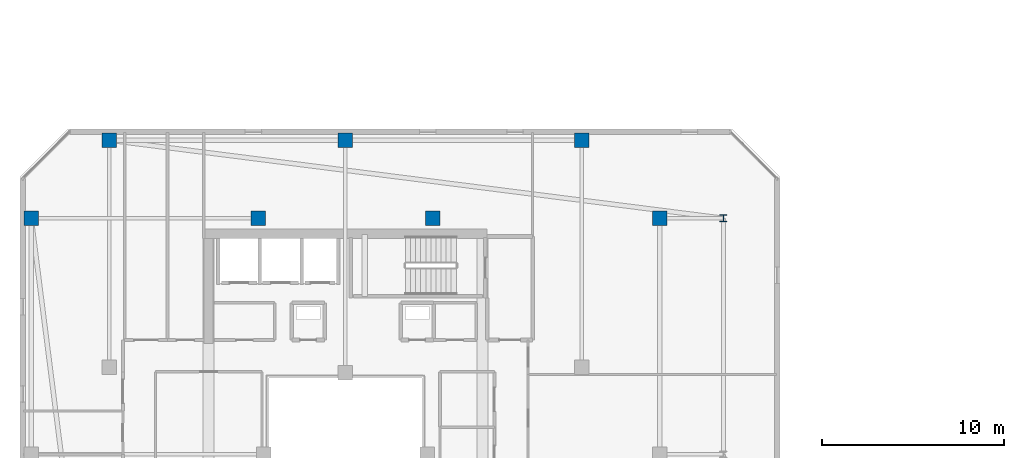
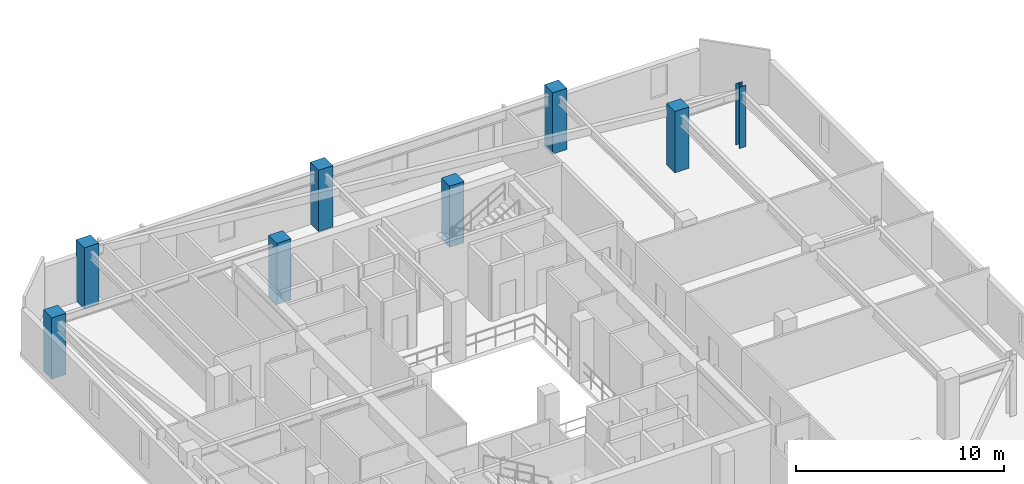
# One storey, part 3 of 35: 8 columns.
"""IFC4 building model written with IfcOpenShell, lengths in metres."""

import ifcopenshell
import ifcopenshell.guid

model = None  # the IFC model being written
_history = None  # IfcOwnerHistory: only IFC2X3 demands one
_inside = {}  # id of a spatial element -> (the spatial element, [elements in it])
_under = {}  # id of a project, library or spatial element -> (it, [spatial elements below it])
_declared = {}  # id of a project -> (the project, [libraries it declares])
_typed = {}  # id of a type object -> (the type object, [elements of that type])
_made_of = {}  # id of a material, layer set ... -> (it, [elements and type objects made of it])


def new_model(schema):
    """Start an empty IFC model of exactly this schema.

    Asked for "IFC4X3", IfcOpenShell would pick the latest addendum, in which some entities
    have other attributes; the version numbers below select the first issue.
    IFC2X3 requires an IfcOwnerHistory on every rooted entity: one is made here for all.
    """
    global model, _history
    if schema == "IFC4X3":
        model = ifcopenshell.file(schema_version=(4, 3, 0, 0))
    else:
        model = ifcopenshell.file(schema=schema)
    _inside.clear()
    _under.clear()
    _declared.clear()
    _typed.clear()
    _made_of.clear()
    _history = None
    if model.schema == "IFC2X3":
        org = make("IfcOrganization", Name="unknown")
        user = make(
            "IfcPersonAndOrganization",
            ThePerson=make("IfcPerson", FamilyName="unknown"),
            TheOrganization=org,
        )
        app = make(
            "IfcApplication",
            ApplicationDeveloper=org,
            Version="unknown",
            ApplicationFullName="unknown",
            ApplicationIdentifier="unknown",
        )
        _history = make(
            "IfcOwnerHistory",
            OwningUser=user,
            OwningApplication=app,
            ChangeAction="ADDED",
            CreationDate=0,
        )
    return model


def make(cls, **values):
    """One entity of the class cls with the attributes given. An attribute that is None is left unset."""
    return model.create_entity(
        cls, **{name: value for name, value in values.items() if value is not None}
    )


def rooted(cls, **values):
    """An entity with a GlobalId (a new one), such as an element, a storey or a relation."""
    return make(cls, GlobalId=ifcopenshell.guid.new(), OwnerHistory=_history, **values)


def si_unit(unit_type, name, prefix=None):
    """IfcSIUnit, for example si_unit("LENGTHUNIT", "METRE", prefix="MILLI")."""
    return make("IfcSIUnit", UnitType=unit_type, Prefix=prefix, Name=name)


def assignment(units):
    """IfcUnitAssignment: the units of a project."""
    return None if units is None else make("IfcUnitAssignment", Units=units)


def point(xyz):
    """IfcCartesianPoint."""
    return None if xyz is None else make("IfcCartesianPoint", Coordinates=xyz)


def direction(xyz):
    """IfcDirection."""
    return None if xyz is None else make("IfcDirection", DirectionRatios=xyz)


def frame(location, z_axis=None, x_axis=None):
    """IfcAxis2Placement3D, a coordinate frame: its origin and axes. An axis left out is left unset."""
    return make(
        "IfcAxis2Placement3D",
        Location=point(location),
        Axis=direction(z_axis),
        RefDirection=direction(x_axis),
    )


def frame_2d(location, x_axis=None):
    """IfcAxis2Placement2D, a coordinate frame in the plane: its origin and x axis."""
    return make(
        "IfcAxis2Placement2D", Location=point(location), RefDirection=direction(x_axis)
    )


def origin():
    """The frame at (0, 0, 0) with its axes left unset."""
    return frame((0.0, 0.0, 0.0))


def origin_2d():
    """The frame at (0, 0) in the plane with its x axis left unset."""
    return frame_2d((0.0, 0.0))


def place(relative_to, where):
    """IfcLocalPlacement: puts the frame where relative to a parent placement (None: the world)."""
    return make(
        "IfcLocalPlacement", PlacementRelTo=relative_to, RelativePlacement=where
    )


def context(
    kind, dimensions, precision=None, world=None, true_north=None, identifier=None
):
    """IfcGeometricRepresentationContext, for example the 3D "Model" context."""
    return make(
        "IfcGeometricRepresentationContext",
        ContextIdentifier=identifier,
        ContextType=kind,
        CoordinateSpaceDimension=dimensions,
        Precision=precision,
        WorldCoordinateSystem=world,
        TrueNorth=true_north,
    )


def subcontext(parent, identifier, kind, view, scale=None):
    """IfcGeometricRepresentationSubContext, for example "Body" below "Model"."""
    return make(
        "IfcGeometricRepresentationSubContext",
        ContextIdentifier=identifier,
        ContextType=kind,
        ParentContext=parent,
        TargetScale=scale,
        TargetView=view,
    )


def project(units=None, contexts=None):
    """IfcProject with its units and contexts."""
    return rooted(
        "IfcProject",
        Name="project",
        RepresentationContexts=contexts,
        UnitsInContext=assignment(units),
    )


def spatial(cls, under=None, at=None, **own):
    """A site, building, storey or space (cls), placed at a placement, below another one or the project."""
    s = rooted(cls, ObjectPlacement=at, **own)
    if under is not None:
        _under.setdefault(under.id(), (under, []))[1].append(s)
    return s


def profile(cls, at=None, kind="AREA", **sizes):
    """A parametric profile (cls). Its sizes go by their IFC names, for example OverallWidth=200.0."""
    return make(cls, ProfileType=kind, Position=at, **sizes)


def rectangle(**sizes):
    """IfcRectangleProfileDef."""
    return profile("IfcRectangleProfileDef", **sizes)


def i_section(**sizes):
    """IfcIShapeProfileDef."""
    return profile("IfcIShapeProfileDef", **sizes)


def extrude(swept, where, along, depth):
    """IfcExtrudedAreaSolid: the profile swept, set in the frame where, extruded along a direction by depth."""
    return make(
        "IfcExtrudedAreaSolid",
        SweptArea=swept,
        Position=where,
        ExtrudedDirection=direction(along),
        Depth=depth,
    )


def shape(context_of_items, identifier, shape_type, items):
    """IfcShapeRepresentation: the items that make up one representation, for example the "Body"."""
    return make(
        "IfcShapeRepresentation",
        ContextOfItems=context_of_items,
        RepresentationIdentifier=identifier,
        RepresentationType=shape_type,
        Items=items,
    )


def material(Name=None, Category=None):
    """IfcMaterial."""
    return make("IfcMaterial", Name=Name, Category=Category)


def material_profile(
    of_material, cross_section, Name=None, Category=None, Priority=None
):
    """IfcMaterialProfile: a cross section and its material."""
    return make(
        "IfcMaterialProfile",
        Name=Name,
        Material=of_material,
        Profile=cross_section,
        Priority=Priority,
        Category=Category,
    )


def profile_set(profiles, Name=None, composite=None):
    """IfcMaterialProfileSet."""
    return make(
        "IfcMaterialProfileSet",
        Name=Name,
        MaterialProfiles=profiles,
        CompositeProfile=composite,
    )


def made_of(thing, what):
    """Note that an element or type object is made of a material, layer set ...; save() writes the relation."""
    if what is not None:
        _made_of.setdefault(what.id(), (what, []))[1].append(thing)
    return thing


def type_object(cls, material=None, **own):
    """A type object (cls), such as IfcWallType, which elements share."""
    return made_of(rooted(cls, **own), material)


def element(
    cls,
    number,
    at=None,
    inside=None,
    cuts=None,
    type_object=None,
    material=None,
    context=None,
    identifier="Body",
    shape_type=None,
    held_by="IfcProductDefinitionShape",
    body=None,
    shapes=None,
    **own,
):
    """One element of the class cls, such as IfcWall. Its Tag is "e" and its number.

    at: its placement. inside: the storey or other place that contains it. cuts: it is an
    opening in that element (IfcRelVoidsElement). A single representation is given by context,
    identifier, shape_type and body (its items); several are given by shapes. held_by: the class
    of the entity that holds the representations. save() writes the other relations.
    """
    e = rooted(cls, Tag="e%d" % number, ObjectPlacement=at, **own)
    if body is not None:
        shapes = [shape(context, identifier, shape_type, body)]
    if shapes is not None:
        e.Representation = make(held_by, Representations=shapes)
    if inside is not None:
        _inside.setdefault(inside.id(), (inside, []))[1].append(e)
    if cuts is not None:
        rooted(
            "IfcRelVoidsElement", RelatingBuildingElement=cuts, RelatedOpeningElement=e
        )
    if type_object is not None:
        _typed.setdefault(type_object.id(), (type_object, []))[1].append(e)
    return made_of(e, material)


def aggregate(whole, parts):
    """IfcRelAggregates: a whole, such as a stair, and the parts it consists of."""
    return rooted("IfcRelAggregates", RelatingObject=whole, RelatedObjects=parts)


def save(model, path):
    """Write the relations noted so far, then the file.

    IfcRelAggregates (storeys below a building ...), IfcRelContainedInSpatialStructure (elements
    in a storey), IfcRelDefinesByType, IfcRelAssociatesMaterial and IfcRelDeclares: one each for
    every whole, place, type object, material and project.
    """
    for whole, parts in _under.values():
        aggregate(whole, parts)
    for where, things in _inside.values():
        rooted(
            "IfcRelContainedInSpatialStructure",
            RelatedElements=things,
            RelatingStructure=where,
        )
    for kind, things in _typed.values():
        rooted("IfcRelDefinesByType", RelatedObjects=things, RelatingType=kind)
    for what, things in _made_of.values():
        rooted("IfcRelAssociatesMaterial", RelatedObjects=things, RelatingMaterial=what)
    for by, libraries in _declared.values():
        rooted("IfcRelDeclares", RelatingContext=by, RelatedDefinitions=libraries)
    model.write(path)


model = new_model("IFC4")

# Units and contexts
model_context = context("Model", 3, precision=1e-05, world=origin(), true_north=direction((0.0, 1.0)))
body_context = subcontext(model_context, "Body", "Model", "MODEL_VIEW")
ifc_project = project(units=[si_unit("LENGTHUNIT", "METRE"), si_unit("AREAUNIT", "SQUARE_METRE"), si_unit("VOLUMEUNIT", "CUBIC_METRE"), si_unit("PLANEANGLEUNIT", "RADIAN"), si_unit("MASSUNIT", "GRAM", prefix="KILO")], contexts=[model_context])

# Site, building, storey
site_placement = place(None, origin())
site = spatial("IfcSite", under=ifc_project, at=site_placement, CompositionType="ELEMENT")
building_placement = place(site_placement, origin())
building = spatial("IfcBuilding", under=site, at=building_placement, Name="Thornwick Lancets Civic Towers", CompositionType="ELEMENT")
storey_placement = place(building_placement, frame((0.0, 0.0, 276.300048828125)))
storey = spatial("IfcBuildingStorey", under=building, at=storey_placement, Name="L74", CompositionType="ELEMENT", Elevation=276.300048828125)

# Columns
ifc_material_1 = material(Name="Concrete C50/60", Category="concrete")
ifc_material_profile_1 = material_profile(ifc_material_1, rectangle(XDim=0.800048828125, YDim=0.800048828125, at=origin_2d()), Name="RC 800x800")
ifc_profile_set_1 = profile_set([ifc_material_profile_1], Name="Concrete C50/60")
column_type_1 = type_object("IfcColumnType", Name="COL_RC_800", PredefinedType="COLUMN", material=ifc_profile_set_1)
for number, where, z_axis, x_axis, name in (
    (1, (42.800048828125, 40.0, 0.0), (0.0, 0.0, 1.0), (1.0, 0.0, 0.0), "L74 Spine Mega-Column A06"),
    (2, (12.5, 44.300048828125, 0.0), (0.0, 0.0, 1.0), (1.0, 0.0, 0.0), "L74 Spine Mega-Column A07"),
    (3, (25.5, 44.300048828125, 0.0), (0.0, 0.0, 1.0), (1.0, 0.0, 0.0), "L74 Spine Mega-Column A08"),
    (4, (38.5, 44.300048828125, 0.0), (0.0, 0.0, 1.0), (1.0, 0.0, 0.0), "L74 Spine Mega-Column A09"),
    (5, (8.199951171875, 40.0, 0.0), (0.0, 0.0, 1.0), (1.0, 0.0, 0.0), "L74 Spine Mega-Column A12"),
    (6, (20.699951171875, 40.0, 0.0), (0.0, 0.0, 1.0), (1.0, 0.0, 0.0), "L74 Spine Mega-Column A19"),
    (7, (30.300048828125, 40.0, 0.0), (0.0, 0.0, 1.0), (1.0, 0.0, 0.0), "L74 Spine Mega-Column A20"),
):
    element("IfcColumn", number, at=place(storey_placement, frame(where, z_axis=z_axis, x_axis=x_axis)), inside=storey, type_object=column_type_1, Name=name, PredefinedType="COLUMN", context=body_context, shape_type="SweptSolid", body=[
        extrude(rectangle(XDim=0.800048828125, YDim=0.800048828125, at=origin_2d()), origin(), (0.0, 0.0, 1.0), 3.599853515625),
    ])
ifc_material_2 = material(Name="Steel S355JR", Category="steel")
ifc_material_profile_2 = material_profile(ifc_material_2, i_section(OverallWidth=0.374755859375, OverallDepth=0.37451171875, WebThickness=0.0166015625, FlangeThickness=0.027099609375, FilletRadius=0.01513671875, at=origin_2d()), Name="UKC 356x368x202")
ifc_profile_set_2 = profile_set([ifc_material_profile_2], Name="Steel S355JR")
column_type_2 = type_object("IfcColumnType", Name="COL_UKC_202", PredefinedType="COLUMN", material=ifc_profile_set_2)
column_placement = place(storey_placement, frame((46.300048828125, 40.0, 0.0), z_axis=(0.0, 0.0, 1.0), x_axis=(1.0, 0.0, 0.0)))
element("IfcColumn", 8, at=column_placement, inside=storey, type_object=column_type_2, Name="L74 Block Perimeter Column A06", PredefinedType="COLUMN", context=body_context, shape_type="SweptSolid", body=[
    extrude(i_section(OverallWidth=0.374755859375, OverallDepth=0.37451171875, WebThickness=0.0166015625, FlangeThickness=0.027099609375, FilletRadius=0.01513671875, at=origin_2d()), origin(), (0.0, 0.0, 1.0), 3.599853515625),
])

save(model, "model.ifc")
